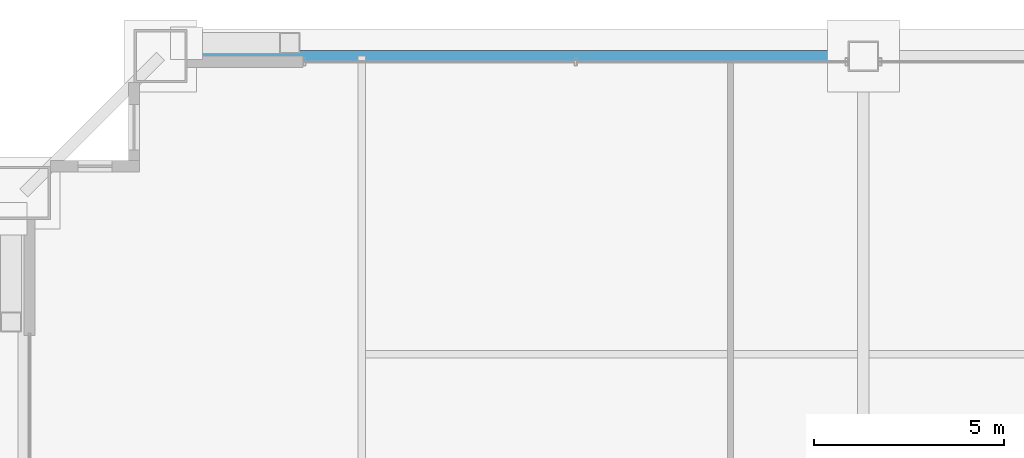
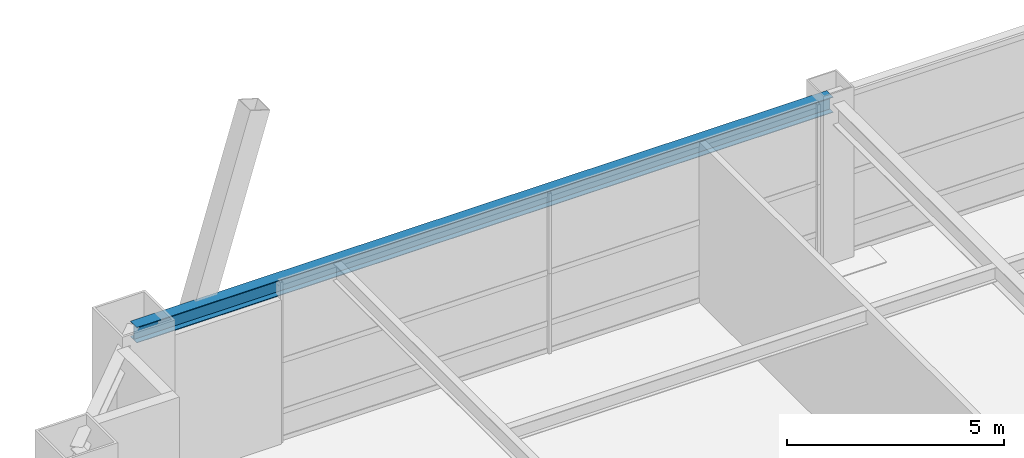
# One storey, part 23 of 34: 1 beam.
"""IFC4 building model written with IfcOpenShell, lengths in metres."""

import ifcopenshell
import ifcopenshell.guid

model = None  # the IFC model being written
_history = None  # IfcOwnerHistory: only IFC2X3 demands one
_inside = {}  # id of a spatial element -> (the spatial element, [elements in it])
_under = {}  # id of a project, library or spatial element -> (it, [spatial elements below it])
_declared = {}  # id of a project -> (the project, [libraries it declares])
_typed = {}  # id of a type object -> (the type object, [elements of that type])
_made_of = {}  # id of a material, layer set ... -> (it, [elements and type objects made of it])


def new_model(schema):
    """Start an empty IFC model of exactly this schema.

    Asked for "IFC4X3", IfcOpenShell would pick the latest addendum, in which some entities
    have other attributes; the version numbers below select the first issue.
    IFC2X3 requires an IfcOwnerHistory on every rooted entity: one is made here for all.
    """
    global model, _history
    if schema == "IFC4X3":
        model = ifcopenshell.file(schema_version=(4, 3, 0, 0))
    else:
        model = ifcopenshell.file(schema=schema)
    _inside.clear()
    _under.clear()
    _declared.clear()
    _typed.clear()
    _made_of.clear()
    _history = None
    if model.schema == "IFC2X3":
        org = make("IfcOrganization", Name="unknown")
        user = make(
            "IfcPersonAndOrganization",
            ThePerson=make("IfcPerson", FamilyName="unknown"),
            TheOrganization=org,
        )
        app = make(
            "IfcApplication",
            ApplicationDeveloper=org,
            Version="unknown",
            ApplicationFullName="unknown",
            ApplicationIdentifier="unknown",
        )
        _history = make(
            "IfcOwnerHistory",
            OwningUser=user,
            OwningApplication=app,
            ChangeAction="ADDED",
            CreationDate=0,
        )
    return model


def make(cls, **values):
    """One entity of the class cls with the attributes given. An attribute that is None is left unset."""
    return model.create_entity(
        cls, **{name: value for name, value in values.items() if value is not None}
    )


def rooted(cls, **values):
    """An entity with a GlobalId (a new one), such as an element, a storey or a relation."""
    return make(cls, GlobalId=ifcopenshell.guid.new(), OwnerHistory=_history, **values)


def si_unit(unit_type, name, prefix=None):
    """IfcSIUnit, for example si_unit("LENGTHUNIT", "METRE", prefix="MILLI")."""
    return make("IfcSIUnit", UnitType=unit_type, Prefix=prefix, Name=name)


def assignment(units):
    """IfcUnitAssignment: the units of a project."""
    return None if units is None else make("IfcUnitAssignment", Units=units)


def point(xyz):
    """IfcCartesianPoint."""
    return None if xyz is None else make("IfcCartesianPoint", Coordinates=xyz)


def direction(xyz):
    """IfcDirection."""
    return None if xyz is None else make("IfcDirection", DirectionRatios=xyz)


def frame(location, z_axis=None, x_axis=None):
    """IfcAxis2Placement3D, a coordinate frame: its origin and axes. An axis left out is left unset."""
    return make(
        "IfcAxis2Placement3D",
        Location=point(location),
        Axis=direction(z_axis),
        RefDirection=direction(x_axis),
    )


def frame_2d(location, x_axis=None):
    """IfcAxis2Placement2D, a coordinate frame in the plane: its origin and x axis."""
    return make(
        "IfcAxis2Placement2D", Location=point(location), RefDirection=direction(x_axis)
    )


def origin():
    """The frame at (0, 0, 0) with its axes left unset."""
    return frame((0.0, 0.0, 0.0))


def origin_2d():
    """The frame at (0, 0) in the plane with its x axis left unset."""
    return frame_2d((0.0, 0.0))


def place(relative_to, where):
    """IfcLocalPlacement: puts the frame where relative to a parent placement (None: the world)."""
    return make(
        "IfcLocalPlacement", PlacementRelTo=relative_to, RelativePlacement=where
    )


def context(
    kind, dimensions, precision=None, world=None, true_north=None, identifier=None
):
    """IfcGeometricRepresentationContext, for example the 3D "Model" context."""
    return make(
        "IfcGeometricRepresentationContext",
        ContextIdentifier=identifier,
        ContextType=kind,
        CoordinateSpaceDimension=dimensions,
        Precision=precision,
        WorldCoordinateSystem=world,
        TrueNorth=true_north,
    )


def subcontext(parent, identifier, kind, view, scale=None):
    """IfcGeometricRepresentationSubContext, for example "Body" below "Model"."""
    return make(
        "IfcGeometricRepresentationSubContext",
        ContextIdentifier=identifier,
        ContextType=kind,
        ParentContext=parent,
        TargetScale=scale,
        TargetView=view,
    )


def project(units=None, contexts=None):
    """IfcProject with its units and contexts."""
    return rooted(
        "IfcProject",
        Name="project",
        RepresentationContexts=contexts,
        UnitsInContext=assignment(units),
    )


def spatial(cls, under=None, at=None, **own):
    """A site, building, storey or space (cls), placed at a placement, below another one or the project."""
    s = rooted(cls, ObjectPlacement=at, **own)
    if under is not None:
        _under.setdefault(under.id(), (under, []))[1].append(s)
    return s


def profile(cls, at=None, kind="AREA", **sizes):
    """A parametric profile (cls). Its sizes go by their IFC names, for example OverallWidth=200.0."""
    return make(cls, ProfileType=kind, Position=at, **sizes)


def i_section(**sizes):
    """IfcIShapeProfileDef."""
    return profile("IfcIShapeProfileDef", **sizes)


def extrude(swept, where, along, depth):
    """IfcExtrudedAreaSolid: the profile swept, set in the frame where, extruded along a direction by depth."""
    return make(
        "IfcExtrudedAreaSolid",
        SweptArea=swept,
        Position=where,
        ExtrudedDirection=direction(along),
        Depth=depth,
    )


def shape(context_of_items, identifier, shape_type, items):
    """IfcShapeRepresentation: the items that make up one representation, for example the "Body"."""
    return make(
        "IfcShapeRepresentation",
        ContextOfItems=context_of_items,
        RepresentationIdentifier=identifier,
        RepresentationType=shape_type,
        Items=items,
    )


def source(mapping_origin, context_of_items, identifier, shape_type, items):
    """IfcRepresentationMap: a shape defined once, which mapped items show again and again."""
    return make(
        "IfcRepresentationMap",
        MappingOrigin=mapping_origin,
        MappedRepresentation=shape(context_of_items, identifier, shape_type, items),
    )


def transform(
    local_origin,
    x_axis=None,
    y_axis=None,
    z_axis=None,
    scale=None,
    scale2=None,
    scale3=None,
    uniform=True,
):
    """IfcCartesianTransformationOperator3D, or its non-uniform kind. x_axis, y_axis, z_axis: its Axis1, 2, 3."""
    if uniform:
        return make(
            "IfcCartesianTransformationOperator3D",
            Axis1=direction(x_axis),
            Axis2=direction(y_axis),
            LocalOrigin=point(local_origin),
            Scale=scale,
            Axis3=direction(z_axis),
        )
    return make(
        "IfcCartesianTransformationOperator3DnonUniform",
        Axis1=direction(x_axis),
        Axis2=direction(y_axis),
        LocalOrigin=point(local_origin),
        Scale=scale,
        Axis3=direction(z_axis),
        Scale2=scale2,
        Scale3=scale3,
    )


def mapped(mapping_source, mapping_target):
    """IfcMappedItem: shows the shape of a source again, moved by a transform."""
    return make(
        "IfcMappedItem", MappingSource=mapping_source, MappingTarget=mapping_target
    )


def material(Name=None, Category=None):
    """IfcMaterial."""
    return make("IfcMaterial", Name=Name, Category=Category)


def material_profile(
    of_material, cross_section, Name=None, Category=None, Priority=None
):
    """IfcMaterialProfile: a cross section and its material."""
    return make(
        "IfcMaterialProfile",
        Name=Name,
        Material=of_material,
        Profile=cross_section,
        Priority=Priority,
        Category=Category,
    )


def profile_set(profiles, Name=None, composite=None):
    """IfcMaterialProfileSet."""
    return make(
        "IfcMaterialProfileSet",
        Name=Name,
        MaterialProfiles=profiles,
        CompositeProfile=composite,
    )


def made_of(thing, what):
    """Note that an element or type object is made of a material, layer set ...; save() writes the relation."""
    if what is not None:
        _made_of.setdefault(what.id(), (what, []))[1].append(thing)
    return thing


def type_object(cls, material=None, **own):
    """A type object (cls), such as IfcWallType, which elements share."""
    return made_of(rooted(cls, **own), material)


def element(
    cls,
    number,
    at=None,
    inside=None,
    cuts=None,
    type_object=None,
    material=None,
    context=None,
    identifier="Body",
    shape_type=None,
    held_by="IfcProductDefinitionShape",
    body=None,
    shapes=None,
    **own,
):
    """One element of the class cls, such as IfcWall. Its Tag is "e" and its number.

    at: its placement. inside: the storey or other place that contains it. cuts: it is an
    opening in that element (IfcRelVoidsElement). A single representation is given by context,
    identifier, shape_type and body (its items); several are given by shapes. held_by: the class
    of the entity that holds the representations. save() writes the other relations.
    """
    e = rooted(cls, Tag="e%d" % number, ObjectPlacement=at, **own)
    if body is not None:
        shapes = [shape(context, identifier, shape_type, body)]
    if shapes is not None:
        e.Representation = make(held_by, Representations=shapes)
    if inside is not None:
        _inside.setdefault(inside.id(), (inside, []))[1].append(e)
    if cuts is not None:
        rooted(
            "IfcRelVoidsElement", RelatingBuildingElement=cuts, RelatedOpeningElement=e
        )
    if type_object is not None:
        _typed.setdefault(type_object.id(), (type_object, []))[1].append(e)
    return made_of(e, material)


def aggregate(whole, parts):
    """IfcRelAggregates: a whole, such as a stair, and the parts it consists of."""
    return rooted("IfcRelAggregates", RelatingObject=whole, RelatedObjects=parts)


def save(model, path):
    """Write the relations noted so far, then the file.

    IfcRelAggregates (storeys below a building ...), IfcRelContainedInSpatialStructure (elements
    in a storey), IfcRelDefinesByType, IfcRelAssociatesMaterial and IfcRelDeclares: one each for
    every whole, place, type object, material and project.
    """
    for whole, parts in _under.values():
        aggregate(whole, parts)
    for where, things in _inside.values():
        rooted(
            "IfcRelContainedInSpatialStructure",
            RelatedElements=things,
            RelatingStructure=where,
        )
    for kind, things in _typed.values():
        rooted("IfcRelDefinesByType", RelatedObjects=things, RelatingType=kind)
    for what, things in _made_of.values():
        rooted("IfcRelAssociatesMaterial", RelatedObjects=things, RelatingMaterial=what)
    for by, libraries in _declared.values():
        rooted("IfcRelDeclares", RelatingContext=by, RelatedDefinitions=libraries)
    model.write(path)


model = new_model("IFC4")

# Units and contexts
model_context = context("Model", 3, precision=1e-05, world=origin(), true_north=direction((0.0, 1.0)))
body_context = subcontext(model_context, "Body", "Model", "MODEL_VIEW")
ifc_project = project(units=[si_unit("LENGTHUNIT", "METRE"), si_unit("AREAUNIT", "SQUARE_METRE"), si_unit("VOLUMEUNIT", "CUBIC_METRE"), si_unit("PLANEANGLEUNIT", "RADIAN"), si_unit("MASSUNIT", "GRAM", prefix="KILO"), si_unit("THERMODYNAMICTEMPERATUREUNIT", "KELVIN"), si_unit("POWERUNIT", "WATT")], contexts=[model_context])

# Site, building, storey
site_placement = place(None, origin())
site = spatial("IfcSite", under=ifc_project, at=site_placement, CompositionType="ELEMENT")
building_placement = place(site_placement, origin())
building = spatial("IfcBuilding", under=site, at=building_placement, Name="Yuzanri Waterfront Tower", CompositionType="ELEMENT")
storey_placement = place(building_placement, frame((0.0, 0.0, 166.800048828125)))
storey = spatial("IfcBuildingStorey", under=building, at=storey_placement, Name="L44", CompositionType="ELEMENT", Elevation=166.800048828125)

# Beam
ifc_material = material(Name="Steel Q355B", Category="steel")
ifc_material_profile = material_profile(ifc_material, i_section(OverallWidth=0.300048828125, OverallDepth=0.43994140625, WebThickness=0.010986328125, FlangeThickness=0.01806640625, at=origin_2d()), Name="HM 440x300x11x18")
ifc_profile_set = profile_set([ifc_material_profile], Name="Steel Q355B")
beam_type = type_object("IfcBeamType", Name="Perimeter Spandrel Q355B HM 440x300", PredefinedType="SPANDREL", material=ifc_profile_set)
shared_shape = source(origin(), body_context, "Body", "SweptSolid", [
    extrude(i_section(OverallWidth=0.300048828125, OverallDepth=0.43994140625, WebThickness=0.010986328125, FlangeThickness=0.01806640625, at=origin_2d()), origin(), (0.0, 0.0, 1.0), 18.5),
])
beam_placement = place(storey_placement, frame((37.0, 47.89990234375, 4.280029296875), z_axis=(-1.0, 0.0, 0.0), x_axis=(0.0, -1.0, 0.0)))
element("IfcBeam", 1, at=beam_placement, inside=storey, type_object=beam_type, Name="L44 Perimeter Spandrel N2-N1", PredefinedType="SPANDREL", context=body_context, shape_type="MappedRepresentation", body=[
    mapped(shared_shape, transform((0.0, 0.0, 0.0), scale=1.0)),
])

save(model, "model.ifc")
